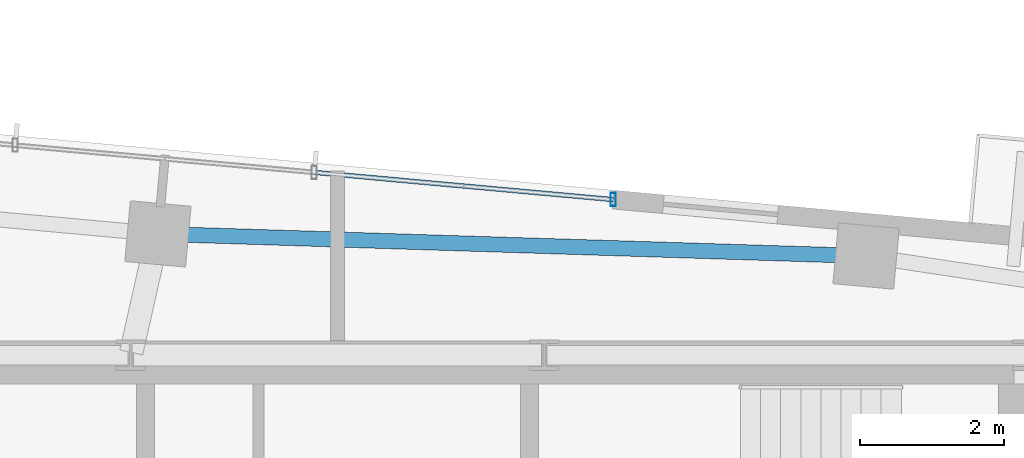
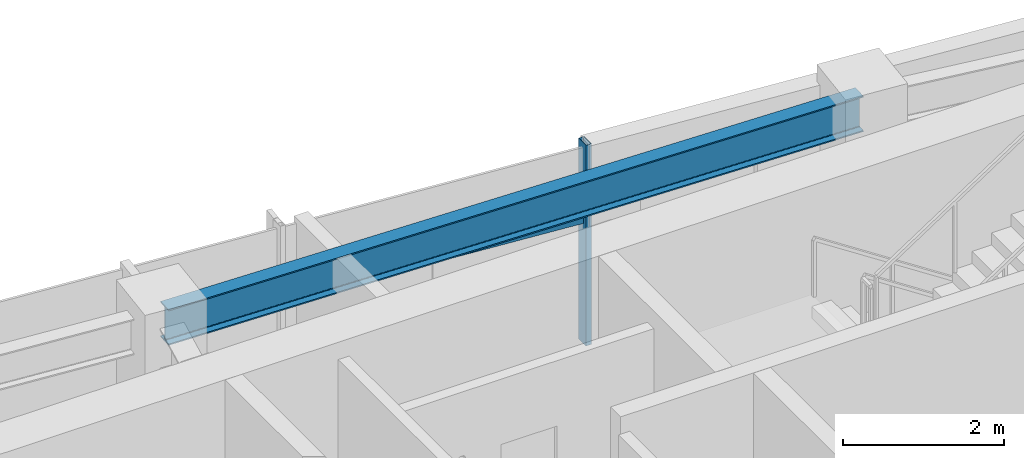
# One storey, part 11 of 22: 2 members, 1 beam, 1 element without a shape of its own.
"""IFC4 building model written with IfcOpenShell, lengths in metres."""

from ifc_helpers import new_model, si_unit, direction, frame, origin, origin_2d, place, context, subcontext, project, spatial, hollow_rectangle, i_section, extrude, source, transform, mapped, material, material_profile, profile_set, type_object, type_shapes, element, aggregate, save


model = new_model("IFC4")

# Units and contexts
model_context = context("Model", 3, precision=1e-05, world=origin(), true_north=direction((0.0, 1.0)))
body_context = subcontext(model_context, "Body", "Model", "MODEL_VIEW")
ifc_project = project(units=[si_unit("LENGTHUNIT", "METRE"), si_unit("AREAUNIT", "SQUARE_METRE"), si_unit("VOLUMEUNIT", "CUBIC_METRE"), si_unit("PLANEANGLEUNIT", "RADIAN"), si_unit("MASSUNIT", "GRAM", prefix="KILO")], contexts=[model_context])

# Site, building, storey
site_placement = place(None, origin())
site = spatial("IfcSite", under=ifc_project, at=site_placement, CompositionType="ELEMENT")
building_placement = place(site_placement, origin())
building = spatial("IfcBuilding", under=site, at=building_placement, Name="Astriad Promenade Condominiums", CompositionType="ELEMENT")
storey_placement = place(building_placement, frame((0.0, 0.0, 252.89990234375)))
storey = spatial("IfcBuildingStorey", under=building, at=storey_placement, Name="L73", CompositionType="ELEMENT", Elevation=252.89990234375)

# Beam
ifc_material_1 = material(Name="Steel ASTM A992 Grade 50", Category="steel")
ifc_material_profile_1 = material_profile(ifc_material_1, i_section(OverallWidth=0.210693359375, OverallDepth=0.53955078125, WebThickness=0.01171875, FlangeThickness=0.018798828125, FilletRadius=0.0166015625, at=origin_2d()), Name="W21X73")
ifc_profile_set_1 = profile_set([ifc_material_profile_1], Name="Steel ASTM A992 Grade 50")
beam_type = type_object("IfcBeamType", Name="STEEL SPANDREL BEAM W21X73", PredefinedType="SPANDREL", material=ifc_profile_set_1)
shared_shape_1 = source(origin(), body_context, "Body", "SweptSolid", [
    extrude(i_section(OverallWidth=0.210693359375, OverallDepth=0.53955078125, WebThickness=0.01171875, FlangeThickness=0.018798828125, FilletRadius=0.0166015625, at=origin_2d()), origin(), (0.0, 0.0, 1.0), 9.783935546875),
])
type_shapes(beam_type, [shared_shape_1])
beam_placement = place(storey_placement, frame((43.31884765625, 25.381103515625, 2.7705078125), z_axis=(-0.999511077438, 0.031266692798, 0.0), x_axis=(-0.031266692798, -0.999511077438, 0.0)))
element("IfcBeam", 1, at=beam_placement, inside=storey, type_object=beam_type, Name="Perimeter Spandrel Beam SP-N3-L73", PredefinedType="SPANDREL", context=body_context, shape_type="MappedRepresentation", body=[
    mapped(shared_shape_1, transform((0.0, 0.0, 0.0), scale=1.0)),
])

# Curtain wall, members
ifc_material_2 = material(Name="Anodised aluminium Black Dark Glass Unitised", Category="aluminium")
curtain_wall_type = type_object("IfcCurtainWallType", Name="CW-B5-DARK", PredefinedType="USERDEFINED", material=ifc_material_2)
curtain_wall_placement = place(storey_placement, origin())
curtain_wall = element("IfcCurtainWall", 2, at=curtain_wall_placement, inside=storey, type_object=curtain_wall_type, Name="CW-L73-N", ObjectType="UNITISED_CURTAIN_WALL", PredefinedType="USERDEFINED")
ifc_material_3 = material(Name="Anodised aluminium 6063-T6 Black", Category="aluminium")
ifc_material_profile_2 = material_profile(ifc_material_3, hollow_rectangle(XDim=0.06494140625, YDim=0.1298828125, WallThickness=0.00390625, at=origin_2d()), Name="ALU-TRN-65X130")
ifc_profile_set_2 = profile_set([ifc_material_profile_2], Name="Anodised aluminium 6063-T6 Black")
member_type_1 = type_object("IfcMemberType", Name="TRN-ALU-TRN-65X130", PredefinedType="USERDEFINED", material=ifc_profile_set_2)
shared_shape_2 = source(origin(), body_context, "Body", "SweptSolid", [
    extrude(hollow_rectangle(XDim=0.06494140625, YDim=0.1298828125, WallThickness=0.00390625, at=origin_2d()), origin(), (0.0, 0.0, 1.0), 4.179931640625),
])
type_shapes(member_type_1, [shared_shape_2])
member_1_placement = place(storey_placement, frame((35.67626953125, 26.54443359375, 1.885009765625), z_axis=(0.995883146811, -0.090646334165, 0.0), x_axis=(0.090646334165, 0.995883146811, 0.0)))
member_1 = element("IfcMember", 3, at=member_1_placement, type_object=member_type_1, Name="CW-L73-N-TRN-02-0", ObjectType="TRANSOM", PredefinedType="USERDEFINED", context=body_context, shape_type="MappedRepresentation", body=[
    mapped(shared_shape_2, transform((0.0, 0.0, 0.0), scale=1.0)),
])
ifc_material_profile_3 = material_profile(ifc_material_3, hollow_rectangle(XDim=0.074951171875, YDim=0.18505859375, WallThickness=0.00439453125, at=origin_2d()), Name="ALU-MUL-75X185")
ifc_profile_set_3 = profile_set([ifc_material_profile_3], Name="Anodised aluminium 6063-T6 Black")
member_type_2 = type_object("IfcMemberType", Name="MUL-ALU-MUL-75X185", PredefinedType="MULLION", material=ifc_profile_set_3)
shared_shape_3 = source(origin(), body_context, "Body", "SweptSolid", [
    extrude(hollow_rectangle(XDim=0.074951171875, YDim=0.18505859375, WallThickness=0.00439453125, at=origin_2d()), origin(), (0.0, 0.0, 1.0), 3.0400390625),
])
type_shapes(member_type_2, [shared_shape_3])
member_2_placement = place(storey_placement, frame((39.839111328125, 26.16552734375, 0.0), z_axis=(0.0, 0.0, 1.0), x_axis=(1.0, 0.0, 0.0)))
member_2 = element("IfcMember", 4, at=member_2_placement, type_object=member_type_2, Name="CW-L73-N-MUL-03", PredefinedType="MULLION", context=body_context, shape_type="MappedRepresentation", body=[
    mapped(shared_shape_3, transform((0.0, 0.0, 0.0), scale=1.0)),
])
aggregate(curtain_wall, [member_2, member_1])

save(model, "model.ifc")
